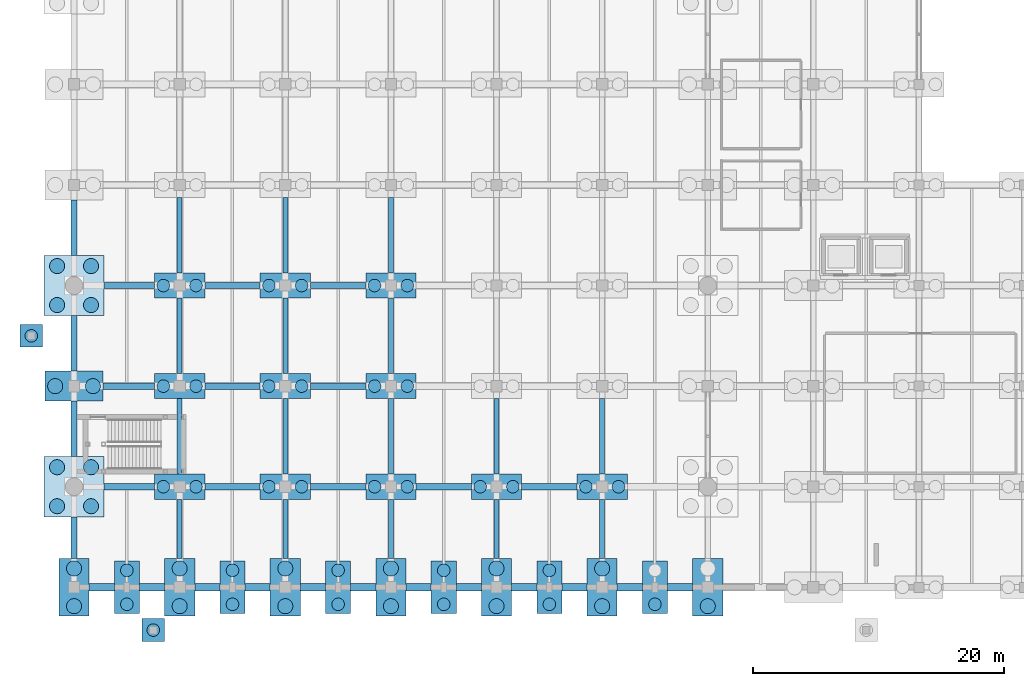
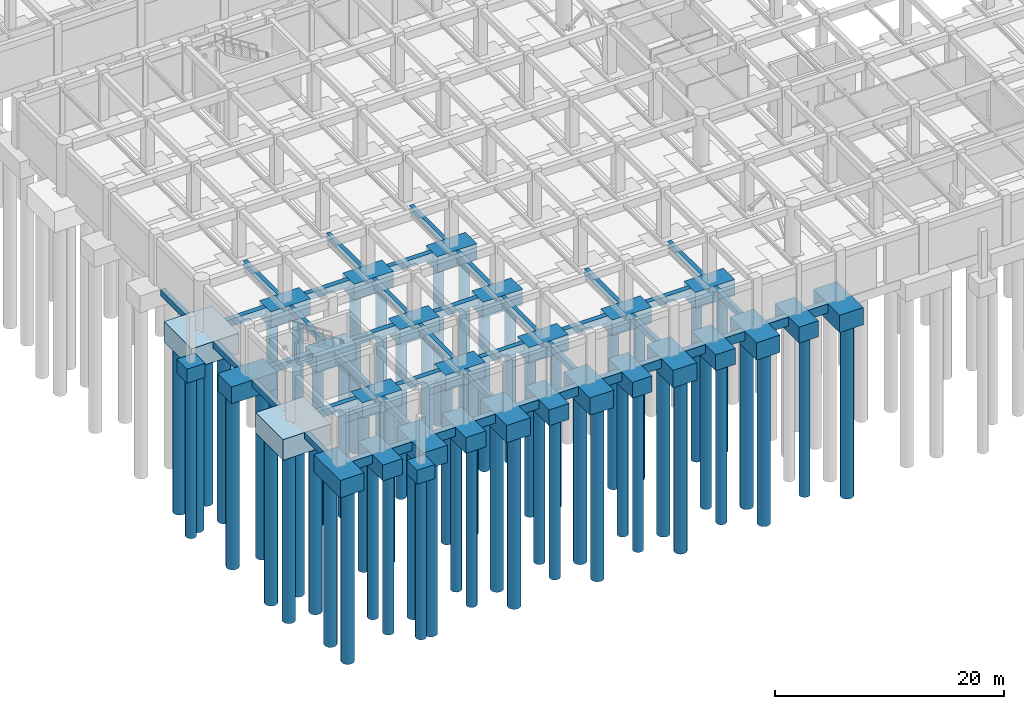
# One storey, part 1 of 56: 72 footings, 58 piles.
"""IFC4 building model written with IfcOpenShell, lengths in metres."""

from ifc_helpers import new_model, si_unit, direction, frame, origin, origin_2d, place, context, subcontext, project, spatial, rectangle, circle, extrude, material, material_profile, profile_set, type_object, element, save


model = new_model("IFC4")

# Units and contexts
model_context = context("Model", 3, precision=1e-05, world=origin(), true_north=direction((0.0, 1.0)))
body_context = subcontext(model_context, "Body", "Model", "MODEL_VIEW")
ifc_project = project(units=[si_unit("LENGTHUNIT", "METRE"), si_unit("AREAUNIT", "SQUARE_METRE"), si_unit("VOLUMEUNIT", "CUBIC_METRE"), si_unit("PLANEANGLEUNIT", "RADIAN"), si_unit("MASSUNIT", "GRAM", prefix="KILO")], contexts=[model_context])

# Site, building, storey
site_placement = place(None, origin())
site = spatial("IfcSite", under=ifc_project, at=site_placement, CompositionType="ELEMENT")
building_placement = place(site_placement, origin())
building = spatial("IfcBuilding", under=site, at=building_placement, Name="Naruveol Harbour Congress Hotel", CompositionType="ELEMENT")
storey_placement = place(building_placement, frame((0.0, 0.0, -5.39990234375)))
storey = spatial("IfcBuildingStorey", under=building, at=storey_placement, Name="B01", CompositionType="ELEMENT", Elevation=-5.39990234375)

# Piles
ifc_material_1 = material(Name="Concrete C40/50", Category="concrete")
ifc_material_profile_1 = material_profile(ifc_material_1, circle(Radius=0.5, at=origin_2d()), Name="BP-1000")
ifc_profile_set_1 = profile_set([ifc_material_profile_1], Name="Concrete C40/50")
pile_type_1 = type_object("IfcPileType", Name="BORED ROCK SOCKETED PILE D1000", PredefinedType="BORED", material=ifc_profile_set_1)
pile_1_placement = place(storey_placement, frame((-3.39990234375, 20.0, -1.35009765625), z_axis=(0.0, 0.0, -1.0), x_axis=(1.0, 0.0, 0.0)))
element("IfcPile", 1, at=pile_1_placement, inside=storey, type_object=pile_type_1, Name="Bored pile BP-1000 #1 under FTG-CAP--034-0200", PredefinedType="BORED", context=body_context, shape_type="SweptSolid", body=[
    extrude(circle(Radius=0.5, at=origin_2d()), origin(), (0.0, 0.0, 1.0), 17.25),
])
for number, where, z_axis, x_axis, name in (
    (2, (4.199951171875, -1.35009765625, -1.550048828125), (0.0, 0.0, -1.0), (1.0, 0.0, 0.0), "Bored pile BP-1000 #1 under FTG-CAP-0042-0000"),
    (3, (4.199951171875, 1.35009765625, -1.550048828125), (0.0, 0.0, -1.0), (1.0, 0.0, 0.0), "Bored pile BP-1000 #2 under FTG-CAP-0042-0000"),
):
    element("IfcPile", number, at=place(storey_placement, frame(where, z_axis=z_axis, x_axis=x_axis)), inside=storey, type_object=pile_type_1, Name=name, PredefinedType="BORED", context=body_context, shape_type="SweptSolid", body=[
        extrude(circle(Radius=0.5, at=origin_2d()), origin(), (0.0, 0.0, 1.0), 17.050048828125),
    ])
pile_2_placement = place(storey_placement, frame((6.300048828125, -3.39990234375, -1.35009765625), z_axis=(0.0, 0.0, -1.0), x_axis=(1.0, 0.0, 0.0)))
element("IfcPile", 4, at=pile_2_placement, inside=storey, type_object=pile_type_1, Name="Bored pile BP-1000 #1 under FTG-CAP-0063--034", PredefinedType="BORED", context=body_context, shape_type="SweptSolid", body=[
    extrude(circle(Radius=0.5, at=origin_2d()), origin(), (0.0, 0.0, 1.0), 17.25),
])
for number, where, z_axis, x_axis, name in (
    (5, (7.10009765625, 8.0, -1.550048828125), (0.0, 0.0, -1.0), (1.0, 0.0, 0.0), "Bored pile BP-1000 #1 under FTG-CAP-0084-0080"),
    (6, (9.699951171875, 8.0, -1.550048828125), (0.0, 0.0, -1.0), (1.0, 0.0, 0.0), "Bored pile BP-1000 #2 under FTG-CAP-0084-0080"),
    (7, (7.10009765625, 16.0, -1.550048828125), (0.0, 0.0, -1.0), (1.0, 0.0, 0.0), "Bored pile BP-1000 #1 under FTG-CAP-0084-0160"),
    (8, (9.699951171875, 16.0, -1.550048828125), (0.0, 0.0, -1.0), (1.0, 0.0, 0.0), "Bored pile BP-1000 #2 under FTG-CAP-0084-0160"),
    (9, (7.10009765625, 24.0, -1.550048828125), (0.0, 0.0, -1.0), (1.0, 0.0, 0.0), "Bored pile BP-1000 #1 under FTG-CAP-0084-0240"),
    (10, (9.699951171875, 24.0, -1.550048828125), (0.0, 0.0, -1.0), (1.0, 0.0, 0.0), "Bored pile BP-1000 #2 under FTG-CAP-0084-0240"),
    (11, (12.60009765625, -1.35009765625, -1.550048828125), (0.0, 0.0, -1.0), (1.0, 0.0, 0.0), "Bored pile BP-1000 #1 under FTG-CAP-0126-0000"),
    (12, (12.60009765625, 1.35009765625, -1.550048828125), (0.0, 0.0, -1.0), (1.0, 0.0, 0.0), "Bored pile BP-1000 #2 under FTG-CAP-0126-0000"),
    (13, (15.5, 8.0, -1.550048828125), (0.0, 0.0, -1.0), (1.0, 0.0, 0.0), "Bored pile BP-1000 #1 under FTG-CAP-0168-0080"),
    (14, (18.10009765625, 8.0, -1.550048828125), (0.0, 0.0, -1.0), (1.0, 0.0, 0.0), "Bored pile BP-1000 #2 under FTG-CAP-0168-0080"),
    (15, (15.5, 16.0, -1.550048828125), (0.0, 0.0, -1.0), (1.0, 0.0, 0.0), "Bored pile BP-1000 #1 under FTG-CAP-0168-0160"),
    (16, (18.10009765625, 16.0, -1.550048828125), (0.0, 0.0, -1.0), (1.0, 0.0, 0.0), "Bored pile BP-1000 #2 under FTG-CAP-0168-0160"),
    (17, (15.5, 24.0, -1.550048828125), (0.0, 0.0, -1.0), (1.0, 0.0, 0.0), "Bored pile BP-1000 #1 under FTG-CAP-0168-0240"),
    (18, (18.10009765625, 24.0, -1.550048828125), (0.0, 0.0, -1.0), (1.0, 0.0, 0.0), "Bored pile BP-1000 #2 under FTG-CAP-0168-0240"),
    (19, (21.0, -1.35009765625, -1.550048828125), (0.0, 0.0, -1.0), (1.0, 0.0, 0.0), "Bored pile BP-1000 #1 under FTG-CAP-0210-0000"),
    (20, (21.0, 1.35009765625, -1.550048828125), (0.0, 0.0, -1.0), (1.0, 0.0, 0.0), "Bored pile BP-1000 #2 under FTG-CAP-0210-0000"),
    (21, (23.89990234375, 8.0, -1.550048828125), (0.0, 0.0, -1.0), (1.0, 0.0, 0.0), "Bored pile BP-1000 #1 under FTG-CAP-0252-0080"),
    (22, (26.5, 8.0, -1.550048828125), (0.0, 0.0, -1.0), (1.0, 0.0, 0.0), "Bored pile BP-1000 #2 under FTG-CAP-0252-0080"),
    (23, (23.89990234375, 16.0, -1.550048828125), (0.0, 0.0, -1.0), (1.0, 0.0, 0.0), "Bored pile BP-1000 #1 under FTG-CAP-0252-0160"),
    (24, (26.5, 16.0, -1.550048828125), (0.0, 0.0, -1.0), (1.0, 0.0, 0.0), "Bored pile BP-1000 #2 under FTG-CAP-0252-0160"),
    (25, (23.89990234375, 24.0, -1.550048828125), (0.0, 0.0, -1.0), (1.0, 0.0, 0.0), "Bored pile BP-1000 #1 under FTG-CAP-0252-0240"),
    (26, (26.5, 24.0, -1.550048828125), (0.0, 0.0, -1.0), (1.0, 0.0, 0.0), "Bored pile BP-1000 #2 under FTG-CAP-0252-0240"),
    (27, (29.39990234375, -1.35009765625, -1.550048828125), (0.0, 0.0, -1.0), (1.0, 0.0, 0.0), "Bored pile BP-1000 #1 under FTG-CAP-0294-0000"),
    (28, (29.39990234375, 1.35009765625, -1.550048828125), (0.0, 0.0, -1.0), (1.0, 0.0, 0.0), "Bored pile BP-1000 #2 under FTG-CAP-0294-0000"),
    (29, (32.300048828125, 8.0, -1.550048828125), (0.0, 0.0, -1.0), (1.0, 0.0, 0.0), "Bored pile BP-1000 #1 under FTG-CAP-0336-0080"),
    (30, (34.89990234375, 8.0, -1.550048828125), (0.0, 0.0, -1.0), (1.0, 0.0, 0.0), "Bored pile BP-1000 #2 under FTG-CAP-0336-0080"),
    (31, (37.800048828125, -1.35009765625, -1.550048828125), (0.0, 0.0, -1.0), (1.0, 0.0, 0.0), "Bored pile BP-1000 #1 under FTG-CAP-0378-0000"),
    (32, (37.800048828125, 1.35009765625, -1.550048828125), (0.0, 0.0, -1.0), (1.0, 0.0, 0.0), "Bored pile BP-1000 #2 under FTG-CAP-0378-0000"),
    (33, (40.699951171875, 8.0, -1.550048828125), (0.0, 0.0, -1.0), (1.0, 0.0, 0.0), "Bored pile BP-1000 #1 under FTG-CAP-0420-0080"),
    (34, (43.300048828125, 8.0, -1.550048828125), (0.0, 0.0, -1.0), (1.0, 0.0, 0.0), "Bored pile BP-1000 #2 under FTG-CAP-0420-0080"),
    (35, (46.199951171875, -1.35009765625, -1.550048828125), (0.0, 0.0, -1.0), (1.0, 0.0, 0.0), "Bored pile BP-1000 #1 under FTG-CAP-0462-0000"),
):
    element("IfcPile", number, at=place(storey_placement, frame(where, z_axis=z_axis, x_axis=x_axis)), inside=storey, type_object=pile_type_1, Name=name, PredefinedType="BORED", context=body_context, shape_type="SweptSolid", body=[
        extrude(circle(Radius=0.5, at=origin_2d()), origin(), (0.0, 0.0, 1.0), 17.050048828125),
    ])
ifc_material_2 = material(Name="Concrete C40/50", Category="concrete")
ifc_material_profile_2 = material_profile(ifc_material_2, circle(Radius=0.60009765625, at=origin_2d()), Name="BP-1200")
ifc_profile_set_2 = profile_set([ifc_material_profile_2], Name="Concrete C40/50")
pile_type_2 = type_object("IfcPileType", Name="BORED ROCK SOCKETED PILE D1200", PredefinedType="BORED", material=ifc_profile_set_2)
for number, where, z_axis, x_axis, name in (
    (36, (0.0, -1.5, -1.7001953125), (0.0, 0.0, -1.0), (1.0, 0.0, 0.0), "Bored pile BP-1200 #1 under FTG-CAP-0000-0000"),
    (37, (0.0, 1.5, -1.7001953125), (0.0, 0.0, -1.0), (1.0, 0.0, 0.0), "Bored pile BP-1200 #2 under FTG-CAP-0000-0000"),
):
    element("IfcPile", number, at=place(storey_placement, frame(where, z_axis=z_axis, x_axis=x_axis)), inside=storey, type_object=pile_type_2, Name=name, PredefinedType="BORED", context=body_context, shape_type="SweptSolid", body=[
        extrude(circle(Radius=0.60009765625, at=origin_2d()), origin(), (0.0, 0.0, 1.0), 18.39990234375),
    ])
for number, where, z_axis, x_axis, name in (
    (38, (-1.35009765625, 6.449951171875, -2.050048828125), (0.0, 0.0, -1.0), (1.0, 0.0, 0.0), "Bored pile BP-1200 #1 under FTG-CAP-0000-0080"),
    (39, (1.35009765625, 6.449951171875, -2.050048828125), (0.0, 0.0, -1.0), (1.0, 0.0, 0.0), "Bored pile BP-1200 #2 under FTG-CAP-0000-0080"),
    (40, (-1.35009765625, 9.550048828125, -2.050048828125), (0.0, 0.0, -1.0), (1.0, 0.0, 0.0), "Bored pile BP-1200 #3 under FTG-CAP-0000-0080"),
    (41, (1.35009765625, 9.550048828125, -2.050048828125), (0.0, 0.0, -1.0), (1.0, 0.0, 0.0), "Bored pile BP-1200 #4 under FTG-CAP-0000-0080"),
):
    element("IfcPile", number, at=place(storey_placement, frame(where, z_axis=z_axis, x_axis=x_axis)), inside=storey, type_object=pile_type_2, Name=name, PredefinedType="BORED", context=body_context, shape_type="SweptSolid", body=[
        extrude(circle(Radius=0.60009765625, at=origin_2d()), origin(), (0.0, 0.0, 1.0), 18.050048828125),
    ])
for number, where, z_axis, x_axis, name in (
    (42, (-1.5, 16.0, -1.650146484375), (0.0, 0.0, -1.0), (1.0, 0.0, 0.0), "Bored pile BP-1200 #1 under FTG-CAP-0000-0160"),
    (43, (1.5, 16.0, -1.650146484375), (0.0, 0.0, -1.0), (1.0, 0.0, 0.0), "Bored pile BP-1200 #2 under FTG-CAP-0000-0160"),
):
    element("IfcPile", number, at=place(storey_placement, frame(where, z_axis=z_axis, x_axis=x_axis)), inside=storey, type_object=pile_type_2, Name=name, PredefinedType="BORED", context=body_context, shape_type="SweptSolid", body=[
        extrude(circle(Radius=0.60009765625, at=origin_2d()), origin(), (0.0, 0.0, 1.0), 18.449951171875),
    ])
for number, where, z_axis, x_axis, name in (
    (44, (-1.35009765625, 22.449951171875, -2.050048828125), (0.0, 0.0, -1.0), (1.0, 0.0, 0.0), "Bored pile BP-1200 #1 under FTG-CAP-0000-0240"),
    (45, (1.35009765625, 22.449951171875, -2.050048828125), (0.0, 0.0, -1.0), (1.0, 0.0, 0.0), "Bored pile BP-1200 #2 under FTG-CAP-0000-0240"),
    (46, (-1.35009765625, 25.550048828125, -2.050048828125), (0.0, 0.0, -1.0), (1.0, 0.0, 0.0), "Bored pile BP-1200 #3 under FTG-CAP-0000-0240"),
    (47, (1.35009765625, 25.550048828125, -2.050048828125), (0.0, 0.0, -1.0), (1.0, 0.0, 0.0), "Bored pile BP-1200 #4 under FTG-CAP-0000-0240"),
):
    element("IfcPile", number, at=place(storey_placement, frame(where, z_axis=z_axis, x_axis=x_axis)), inside=storey, type_object=pile_type_2, Name=name, PredefinedType="BORED", context=body_context, shape_type="SweptSolid", body=[
        extrude(circle(Radius=0.60009765625, at=origin_2d()), origin(), (0.0, 0.0, 1.0), 18.050048828125),
    ])
for number, where, z_axis, x_axis, name in (
    (48, (8.39990234375, -1.5, -1.7001953125), (0.0, 0.0, -1.0), (1.0, 0.0, 0.0), "Bored pile BP-1200 #1 under FTG-CAP-0084-0000"),
    (49, (8.39990234375, 1.5, -1.7001953125), (0.0, 0.0, -1.0), (1.0, 0.0, 0.0), "Bored pile BP-1200 #2 under FTG-CAP-0084-0000"),
    (50, (16.800048828125, -1.5, -1.7001953125), (0.0, 0.0, -1.0), (1.0, 0.0, 0.0), "Bored pile BP-1200 #1 under FTG-CAP-0168-0000"),
    (51, (16.800048828125, 1.5, -1.7001953125), (0.0, 0.0, -1.0), (1.0, 0.0, 0.0), "Bored pile BP-1200 #2 under FTG-CAP-0168-0000"),
    (52, (25.199951171875, -1.5, -1.7001953125), (0.0, 0.0, -1.0), (1.0, 0.0, 0.0), "Bored pile BP-1200 #1 under FTG-CAP-0252-0000"),
    (53, (25.199951171875, 1.5, -1.7001953125), (0.0, 0.0, -1.0), (1.0, 0.0, 0.0), "Bored pile BP-1200 #2 under FTG-CAP-0252-0000"),
    (54, (33.60009765625, -1.5, -1.7001953125), (0.0, 0.0, -1.0), (1.0, 0.0, 0.0), "Bored pile BP-1200 #1 under FTG-CAP-0336-0000"),
    (55, (33.60009765625, 1.5, -1.7001953125), (0.0, 0.0, -1.0), (1.0, 0.0, 0.0), "Bored pile BP-1200 #2 under FTG-CAP-0336-0000"),
    (56, (42.0, -1.5, -1.7001953125), (0.0, 0.0, -1.0), (1.0, 0.0, 0.0), "Bored pile BP-1200 #1 under FTG-CAP-0420-0000"),
    (57, (42.0, 1.5, -1.7001953125), (0.0, 0.0, -1.0), (1.0, 0.0, 0.0), "Bored pile BP-1200 #2 under FTG-CAP-0420-0000"),
    (58, (50.39990234375, -1.5, -1.7001953125), (0.0, 0.0, -1.0), (1.0, 0.0, 0.0), "Bored pile BP-1200 #1 under FTG-CAP-0504-0000"),
):
    element("IfcPile", number, at=place(storey_placement, frame(where, z_axis=z_axis, x_axis=x_axis)), inside=storey, type_object=pile_type_2, Name=name, PredefinedType="BORED", context=body_context, shape_type="SweptSolid", body=[
        extrude(circle(Radius=0.60009765625, at=origin_2d()), origin(), (0.0, 0.0, 1.0), 18.39990234375),
    ])

# Footings
ifc_material_3 = material(Name="Concrete C40/50", Category="concrete")
footing_type_1 = type_object("IfcFootingType", Name="RC APRON EDGE PILE CAP 1800X1800X1500", PredefinedType="PILE_CAP", material=ifc_material_3)
for number, where, z_axis, x_axis, name in (
    (59, (-3.39990234375, 20.0, -1.5), (0.0, 0.0, 1.0), (1.0, 0.0, 0.0), "Pile cap PC9 at (-3.4, 20.0)"),
    (60, (6.300048828125, -3.39990234375, -1.5), (0.0, 0.0, 1.0), (1.0, 0.0, 0.0), "Pile cap PC9 at (6.3, -3.4)"),
):
    element("IfcFooting", number, at=place(storey_placement, frame(where, z_axis=z_axis, x_axis=x_axis)), inside=storey, type_object=footing_type_1, Name=name, PredefinedType="PILE_CAP", context=body_context, shape_type="SweptSolid", body=[
        extrude(rectangle(XDim=1.800048828125, YDim=1.800048828125, at=origin_2d()), origin(), (0.0, 0.0, 1.0), 1.5),
    ])
ifc_material_4 = material(Name="Concrete C40/50", Category="concrete")
footing_type_2 = type_object("IfcFootingType", Name="RC BOUNDARY PILE CAP 2400X4600X1850", PredefinedType="PILE_CAP", material=ifc_material_4)
for number, where, z_axis, x_axis, name in (
    (61, (0.0, 0.0, -1.85009765625), (0.0, 0.0, 1.0), (1.0, 0.0, 0.0), "Pile cap PC12 at (0.0, 0.0)"),
    (62, (8.39990234375, 0.0, -1.85009765625), (0.0, 0.0, 1.0), (1.0, 0.0, 0.0), "Pile cap PC12 at (8.4, 0.0)"),
    (63, (16.800048828125, 0.0, -1.85009765625), (0.0, 0.0, 1.0), (1.0, 0.0, 0.0), "Pile cap PC12 at (16.8, 0.0)"),
    (64, (25.199951171875, 0.0, -1.85009765625), (0.0, 0.0, 1.0), (1.0, 0.0, 0.0), "Pile cap PC12 at (25.2, 0.0)"),
    (65, (33.60009765625, 0.0, -1.85009765625), (0.0, 0.0, 1.0), (1.0, 0.0, 0.0), "Pile cap PC12 at (33.6, 0.0)"),
    (66, (42.0, 0.0, -1.85009765625), (0.0, 0.0, 1.0), (1.0, 0.0, 0.0), "Pile cap PC12 at (42.0, 0.0)"),
    (67, (50.39990234375, 0.0, -1.85009765625), (0.0, 0.0, 1.0), (1.0, 0.0, 0.0), "Pile cap PC12 at (50.4, 0.0)"),
):
    element("IfcFooting", number, at=place(storey_placement, frame(where, z_axis=z_axis, x_axis=x_axis)), inside=storey, type_object=footing_type_2, Name=name, PredefinedType="PILE_CAP", context=body_context, shape_type="SweptSolid", body=[
        extrude(rectangle(XDim=2.39990234375, YDim=4.60009765625, at=origin_2d()), origin(), (0.0, 0.0, 1.0), 1.85009765625),
    ])
ifc_material_5 = material(Name="Concrete C40/50", Category="concrete")
ifc_material_profile_3 = material_profile(ifc_material_5, rectangle(XDim=0.39990234375, YDim=0.64990234375, at=origin_2d()), Name="RCB-400x650")
ifc_profile_set_3 = profile_set([ifc_material_profile_3], Name="Concrete C40/50")
footing_type_3 = type_object("IfcFootingType", Name="RC COLONNADE TIE BEAM 400X650", PredefinedType="FOOTING_BEAM", material=ifc_profile_set_3)
footing_1_placement = place(storey_placement, frame((8.39990234375, 2.300048828125, -0.3251953125), z_axis=(0.0, 1.0, 0.0), x_axis=(-1.0, 0.0, 0.0)))
element("IfcFooting", 68, at=footing_1_placement, inside=storey, type_object=footing_type_3, Name="Foundation tie beam TB4 #240", PredefinedType="FOOTING_BEAM", context=body_context, shape_type="SweptSolid", body=[
    extrude(rectangle(XDim=0.39990234375, YDim=0.64990234375, at=origin_2d()), origin(), (0.0, 0.0, 1.0), 4.699951171875),
])
for number, where, z_axis, x_axis, name in (
    (69, (8.39990234375, 9.0, -0.3251953125), (0.0, 1.0, 0.0), (-1.0, 0.0, 0.0), "Foundation tie beam TB4 #241"),
    (70, (8.39990234375, 17.0, -0.3251953125), (0.0, 1.0, 0.0), (-1.0, 0.0, 0.0), "Foundation tie beam TB4 #242"),
    (71, (8.39990234375, 25.0, -0.3251953125), (0.0, 1.0, 0.0), (-1.0, 0.0, 0.0), "Foundation tie beam TB4 #243"),
):
    element("IfcFooting", number, at=place(storey_placement, frame(where, z_axis=z_axis, x_axis=x_axis)), inside=storey, type_object=footing_type_3, Name=name, PredefinedType="FOOTING_BEAM", context=body_context, shape_type="SweptSolid", body=[
        extrude(rectangle(XDim=0.39990234375, YDim=0.64990234375, at=origin_2d()), origin(), (0.0, 0.0, 1.0), 6.0),
    ])
footing_2_placement = place(storey_placement, frame((16.800048828125, 2.300048828125, -0.3251953125), z_axis=(0.0, 1.0, 0.0), x_axis=(-1.0, 0.0, 0.0)))
element("IfcFooting", 72, at=footing_2_placement, inside=storey, type_object=footing_type_3, Name="Foundation tie beam TB4 #254", PredefinedType="FOOTING_BEAM", context=body_context, shape_type="SweptSolid", body=[
    extrude(rectangle(XDim=0.39990234375, YDim=0.64990234375, at=origin_2d()), origin(), (0.0, 0.0, 1.0), 4.699951171875),
])
for number, where, z_axis, x_axis, name in (
    (73, (16.800048828125, 9.0, -0.3251953125), (0.0, 1.0, 0.0), (-1.0, 0.0, 0.0), "Foundation tie beam TB4 #255"),
    (74, (16.800048828125, 17.0, -0.3251953125), (0.0, 1.0, 0.0), (-1.0, 0.0, 0.0), "Foundation tie beam TB4 #256"),
    (75, (16.800048828125, 25.0, -0.3251953125), (0.0, 1.0, 0.0), (-1.0, 0.0, 0.0), "Foundation tie beam TB4 #257"),
):
    element("IfcFooting", number, at=place(storey_placement, frame(where, z_axis=z_axis, x_axis=x_axis)), inside=storey, type_object=footing_type_3, Name=name, PredefinedType="FOOTING_BEAM", context=body_context, shape_type="SweptSolid", body=[
        extrude(rectangle(XDim=0.39990234375, YDim=0.64990234375, at=origin_2d()), origin(), (0.0, 0.0, 1.0), 6.0),
    ])
footing_3_placement = place(storey_placement, frame((25.199951171875, 2.300048828125, -0.3251953125), z_axis=(0.0, 1.0, 0.0), x_axis=(-1.0, 0.0, 0.0)))
element("IfcFooting", 76, at=footing_3_placement, inside=storey, type_object=footing_type_3, Name="Foundation tie beam TB4 #268", PredefinedType="FOOTING_BEAM", context=body_context, shape_type="SweptSolid", body=[
    extrude(rectangle(XDim=0.39990234375, YDim=0.64990234375, at=origin_2d()), origin(), (0.0, 0.0, 1.0), 4.699951171875),
])
for number, where, z_axis, x_axis, name in (
    (77, (25.199951171875, 9.0, -0.3251953125), (0.0, 1.0, 0.0), (-1.0, 0.0, 0.0), "Foundation tie beam TB4 #269"),
    (78, (25.199951171875, 17.0, -0.3251953125), (0.0, 1.0, 0.0), (-1.0, 0.0, 0.0), "Foundation tie beam TB4 #270"),
    (79, (25.199951171875, 25.0, -0.3251953125), (0.0, 1.0, 0.0), (-1.0, 0.0, 0.0), "Foundation tie beam TB4 #271"),
):
    element("IfcFooting", number, at=place(storey_placement, frame(where, z_axis=z_axis, x_axis=x_axis)), inside=storey, type_object=footing_type_3, Name=name, PredefinedType="FOOTING_BEAM", context=body_context, shape_type="SweptSolid", body=[
        extrude(rectangle(XDim=0.39990234375, YDim=0.64990234375, at=origin_2d()), origin(), (0.0, 0.0, 1.0), 6.0),
    ])
footing_4_placement = place(storey_placement, frame((33.60009765625, 2.300048828125, -0.3251953125), z_axis=(0.0, 1.0, 0.0), x_axis=(-1.0, 0.0, 0.0)))
element("IfcFooting", 80, at=footing_4_placement, inside=storey, type_object=footing_type_3, Name="Foundation tie beam TB4 #282", PredefinedType="FOOTING_BEAM", context=body_context, shape_type="SweptSolid", body=[
    extrude(rectangle(XDim=0.39990234375, YDim=0.64990234375, at=origin_2d()), origin(), (0.0, 0.0, 1.0), 4.699951171875),
])
footing_5_placement = place(storey_placement, frame((33.60009765625, 9.0, -0.3251953125), z_axis=(0.0, 1.0, 0.0), x_axis=(-1.0, 0.0, 0.0)))
element("IfcFooting", 81, at=footing_5_placement, inside=storey, type_object=footing_type_3, Name="Foundation tie beam TB4 #283", PredefinedType="FOOTING_BEAM", context=body_context, shape_type="SweptSolid", body=[
    extrude(rectangle(XDim=0.39990234375, YDim=0.64990234375, at=origin_2d()), origin(), (0.0, 0.0, 1.0), 6.0),
])
footing_6_placement = place(storey_placement, frame((42.0, 2.300048828125, -0.3251953125), z_axis=(0.0, 1.0, 0.0), x_axis=(-1.0, 0.0, 0.0)))
element("IfcFooting", 82, at=footing_6_placement, inside=storey, type_object=footing_type_3, Name="Foundation tie beam TB4 #296", PredefinedType="FOOTING_BEAM", context=body_context, shape_type="SweptSolid", body=[
    extrude(rectangle(XDim=0.39990234375, YDim=0.64990234375, at=origin_2d()), origin(), (0.0, 0.0, 1.0), 4.699951171875),
])
footing_7_placement = place(storey_placement, frame((42.0, 9.0, -0.3251953125), z_axis=(0.0, 1.0, 0.0), x_axis=(-1.0, 0.0, 0.0)))
element("IfcFooting", 83, at=footing_7_placement, inside=storey, type_object=footing_type_3, Name="Foundation tie beam TB4 #297", PredefinedType="FOOTING_BEAM", context=body_context, shape_type="SweptSolid", body=[
    extrude(rectangle(XDim=0.39990234375, YDim=0.64990234375, at=origin_2d()), origin(), (0.0, 0.0, 1.0), 6.0),
])
ifc_material_6 = material(Name="Concrete C40/50", Category="concrete")
ifc_material_profile_4 = material_profile(ifc_material_6, rectangle(XDim=0.5, YDim=0.75, at=origin_2d()), Name="RCB-500x750")
ifc_profile_set_4 = profile_set([ifc_material_profile_4], Name="Concrete C40/50")
footing_type_4 = type_object("IfcFootingType", Name="RC FOUNDATION TIE BEAM 500X750", PredefinedType="FOOTING_BEAM", material=ifc_profile_set_4)
footing_8_placement = place(storey_placement, frame((2.39990234375, 8.0, -0.375), z_axis=(1.0, 0.0, 0.0), x_axis=(0.0, 1.0, 0.0)))
element("IfcFooting", 84, at=footing_8_placement, inside=storey, type_object=footing_type_4, Name="Foundation tie beam TB2 #24", PredefinedType="FOOTING_BEAM", context=body_context, shape_type="SweptSolid", body=[
    extrude(rectangle(XDim=0.5, YDim=0.75, at=origin_2d()), origin(), (0.0, 0.0, 1.0), 4.0),
])
footing_9_placement = place(storey_placement, frame((10.39990234375, 8.0, -0.375), z_axis=(1.0, 0.0, 0.0), x_axis=(0.0, 1.0, 0.0)))
element("IfcFooting", 85, at=footing_9_placement, inside=storey, type_object=footing_type_4, Name="Foundation tie beam TB2 #25", PredefinedType="FOOTING_BEAM", context=body_context, shape_type="SweptSolid", body=[
    extrude(rectangle(XDim=0.5, YDim=0.75, at=origin_2d()), origin(), (0.0, 0.0, 1.0), 4.400146484375),
])
footing_10_placement = place(storey_placement, frame((18.800048828125, 8.0, -0.375), z_axis=(1.0, 0.0, 0.0), x_axis=(0.0, 1.0, 0.0)))
element("IfcFooting", 86, at=footing_10_placement, inside=storey, type_object=footing_type_4, Name="Foundation tie beam TB2 #26", PredefinedType="FOOTING_BEAM", context=body_context, shape_type="SweptSolid", body=[
    extrude(rectangle(XDim=0.5, YDim=0.75, at=origin_2d()), origin(), (0.0, 0.0, 1.0), 4.39990234375),
])
footing_11_placement = place(storey_placement, frame((27.199951171875, 8.0, -0.375), z_axis=(1.0, 0.0, 0.0), x_axis=(0.0, 1.0, 0.0)))
element("IfcFooting", 87, at=footing_11_placement, inside=storey, type_object=footing_type_4, Name="Foundation tie beam TB2 #27", PredefinedType="FOOTING_BEAM", context=body_context, shape_type="SweptSolid", body=[
    extrude(rectangle(XDim=0.5, YDim=0.75, at=origin_2d()), origin(), (0.0, 0.0, 1.0), 4.400146484375),
])
footing_12_placement = place(storey_placement, frame((35.60009765625, 8.0, -0.375), z_axis=(1.0, 0.0, 0.0), x_axis=(0.0, 1.0, 0.0)))
element("IfcFooting", 88, at=footing_12_placement, inside=storey, type_object=footing_type_4, Name="Foundation tie beam TB2 #28", PredefinedType="FOOTING_BEAM", context=body_context, shape_type="SweptSolid", body=[
    extrude(rectangle(XDim=0.5, YDim=0.75, at=origin_2d()), origin(), (0.0, 0.0, 1.0), 4.39990234375),
])
footing_13_placement = place(storey_placement, frame((2.300048828125, 16.0, -0.375), z_axis=(1.0, 0.0, 0.0), x_axis=(0.0, 1.0, 0.0)))
element("IfcFooting", 89, at=footing_13_placement, inside=storey, type_object=footing_type_4, Name="Foundation tie beam TB2 #39", PredefinedType="FOOTING_BEAM", context=body_context, shape_type="SweptSolid", body=[
    extrude(rectangle(XDim=0.5, YDim=0.75, at=origin_2d()), origin(), (0.0, 0.0, 1.0), 4.099853515625),
])
footing_14_placement = place(storey_placement, frame((10.39990234375, 16.0, -0.375), z_axis=(1.0, 0.0, 0.0), x_axis=(0.0, 1.0, 0.0)))
element("IfcFooting", 90, at=footing_14_placement, inside=storey, type_object=footing_type_4, Name="Foundation tie beam TB2 #40", PredefinedType="FOOTING_BEAM", context=body_context, shape_type="SweptSolid", body=[
    extrude(rectangle(XDim=0.5, YDim=0.75, at=origin_2d()), origin(), (0.0, 0.0, 1.0), 4.400146484375),
])
footing_15_placement = place(storey_placement, frame((18.800048828125, 16.0, -0.375), z_axis=(1.0, 0.0, 0.0), x_axis=(0.0, 1.0, 0.0)))
element("IfcFooting", 91, at=footing_15_placement, inside=storey, type_object=footing_type_4, Name="Foundation tie beam TB2 #41", PredefinedType="FOOTING_BEAM", context=body_context, shape_type="SweptSolid", body=[
    extrude(rectangle(XDim=0.5, YDim=0.75, at=origin_2d()), origin(), (0.0, 0.0, 1.0), 4.39990234375),
])
footing_16_placement = place(storey_placement, frame((2.39990234375, 24.0, -0.375), z_axis=(1.0, 0.0, 0.0), x_axis=(0.0, 1.0, 0.0)))
element("IfcFooting", 92, at=footing_16_placement, inside=storey, type_object=footing_type_4, Name="Foundation tie beam TB2 #57", PredefinedType="FOOTING_BEAM", context=body_context, shape_type="SweptSolid", body=[
    extrude(rectangle(XDim=0.5, YDim=0.75, at=origin_2d()), origin(), (0.0, 0.0, 1.0), 4.0),
])
footing_17_placement = place(storey_placement, frame((10.39990234375, 24.0, -0.375), z_axis=(1.0, 0.0, 0.0), x_axis=(0.0, 1.0, 0.0)))
element("IfcFooting", 93, at=footing_17_placement, inside=storey, type_object=footing_type_4, Name="Foundation tie beam TB2 #58", PredefinedType="FOOTING_BEAM", context=body_context, shape_type="SweptSolid", body=[
    extrude(rectangle(XDim=0.5, YDim=0.75, at=origin_2d()), origin(), (0.0, 0.0, 1.0), 4.400146484375),
])
footing_18_placement = place(storey_placement, frame((18.800048828125, 24.0, -0.375), z_axis=(1.0, 0.0, 0.0), x_axis=(0.0, 1.0, 0.0)))
element("IfcFooting", 94, at=footing_18_placement, inside=storey, type_object=footing_type_4, Name="Foundation tie beam TB2 #59", PredefinedType="FOOTING_BEAM", context=body_context, shape_type="SweptSolid", body=[
    extrude(rectangle(XDim=0.5, YDim=0.75, at=origin_2d()), origin(), (0.0, 0.0, 1.0), 4.39990234375),
])
ifc_material_7 = material(Name="Concrete C40/50", Category="concrete")
ifc_material_profile_5 = material_profile(ifc_material_7, rectangle(XDim=0.60009765625, YDim=0.949951171875, at=origin_2d()), Name="RCB-600x950")
ifc_profile_set_5 = profile_set([ifc_material_profile_5], Name="Concrete C40/50")
footing_type_5 = type_object("IfcFootingType", Name="RC FOUNDATION TIE BEAM 600X900", PredefinedType="FOOTING_BEAM", material=ifc_profile_set_5)
for number, where, z_axis, x_axis, name in (
    (95, (1.199951171875, 0.0, -0.47509765625), (1.0, 0.0, 0.0), (0.0, 1.0, 0.0), "Foundation tie beam TB1 #1"),
    (96, (5.199951171875, 0.0, -0.47509765625), (1.0, 0.0, 0.0), (0.0, 1.0, 0.0), "Foundation tie beam TB1 #2"),
    (97, (9.60009765625, 0.0, -0.47509765625), (1.0, 0.0, 0.0), (0.0, 1.0, 0.0), "Foundation tie beam TB1 #3"),
    (98, (13.60009765625, 0.0, -0.47509765625), (1.0, 0.0, 0.0), (0.0, 1.0, 0.0), "Foundation tie beam TB1 #4"),
    (99, (18.0, 0.0, -0.47509765625), (1.0, 0.0, 0.0), (0.0, 1.0, 0.0), "Foundation tie beam TB1 #5"),
    (100, (22.0, 0.0, -0.47509765625), (1.0, 0.0, 0.0), (0.0, 1.0, 0.0), "Foundation tie beam TB1 #6"),
    (101, (26.39990234375, 0.0, -0.47509765625), (1.0, 0.0, 0.0), (0.0, 1.0, 0.0), "Foundation tie beam TB1 #7"),
    (102, (30.39990234375, 0.0, -0.47509765625), (1.0, 0.0, 0.0), (0.0, 1.0, 0.0), "Foundation tie beam TB1 #8"),
    (103, (34.800048828125, 0.0, -0.47509765625), (1.0, 0.0, 0.0), (0.0, 1.0, 0.0), "Foundation tie beam TB1 #9"),
    (104, (38.800048828125, 0.0, -0.47509765625), (1.0, 0.0, 0.0), (0.0, 1.0, 0.0), "Foundation tie beam TB1 #10"),
    (105, (43.199951171875, 0.0, -0.47509765625), (1.0, 0.0, 0.0), (0.0, 1.0, 0.0), "Foundation tie beam TB1 #11"),
    (106, (47.199951171875, 0.0, -0.47509765625), (1.0, 0.0, 0.0), (0.0, 1.0, 0.0), "Foundation tie beam TB1 #12"),
):
    element("IfcFooting", number, at=place(storey_placement, frame(where, z_axis=z_axis, x_axis=x_axis)), inside=storey, type_object=footing_type_5, Name=name, PredefinedType="FOOTING_BEAM", context=body_context, shape_type="SweptSolid", body=[
        extrude(rectangle(XDim=0.60009765625, YDim=0.949951171875, at=origin_2d()), origin(), (0.0, 0.0, 1.0), 2.0),
    ])
ifc_material_8 = material(Name="Concrete C40/50", Category="concrete")
footing_type_6 = type_object("IfcFootingType", Name="RC HALL PILE CAP 4600X2400X1800", PredefinedType="PILE_CAP", material=ifc_material_8)
footing_19_placement = place(storey_placement, frame((0.0, 16.0, -1.80029296875), z_axis=(0.0, 0.0, 1.0), x_axis=(1.0, 0.0, 0.0)))
element("IfcFooting", 107, at=footing_19_placement, inside=storey, type_object=footing_type_6, Name="Pile cap PC5 at (0.0, 16.0)", PredefinedType="PILE_CAP", context=body_context, shape_type="SweptSolid", body=[
    extrude(rectangle(XDim=4.60009765625, YDim=2.39990234375, at=origin_2d()), origin(), (0.0, 0.0, 1.0), 1.800048828125),
])
ifc_material_9 = material(Name="Concrete C40/50", Category="concrete")
footing_type_7 = type_object("IfcFootingType", Name="RC MEGA PILE CAP 4800X4800X2200", PredefinedType="PILE_CAP", material=ifc_material_9)
for number, where, z_axis, x_axis, name in (
    (108, (0.0, 8.0, -2.2001953125), (0.0, 0.0, 1.0), (1.0, 0.0, 0.0), "Pile cap PC1 at (0.0, 8.0)"),
    (109, (0.0, 24.0, -2.2001953125), (0.0, 0.0, 1.0), (1.0, 0.0, 0.0), "Pile cap PC1 at (0.0, 24.0)"),
):
    element("IfcFooting", number, at=place(storey_placement, frame(where, z_axis=z_axis, x_axis=x_axis)), inside=storey, type_object=footing_type_7, Name=name, PredefinedType="PILE_CAP", context=body_context, shape_type="SweptSolid", body=[
        extrude(rectangle(XDim=4.800048828125, YDim=4.800048828125, at=origin_2d()), origin(), (0.0, 0.0, 1.0), 2.199951171875),
    ])
ifc_material_10 = material(Name="Concrete C40/50", Category="concrete")
ifc_material_profile_6 = material_profile(ifc_material_10, rectangle(XDim=0.449951171875, YDim=0.699951171875, at=origin_2d()), Name="RCB-450x700")
ifc_profile_set_6 = profile_set([ifc_material_profile_6], Name="Concrete C40/50")
footing_type_8 = type_object("IfcFootingType", Name="RC PERIMETER GRADE BEAM 450X700", PredefinedType="FOOTING_BEAM", material=ifc_profile_set_6)
footing_20_placement = place(storey_placement, frame((0.0, 2.300048828125, -0.35009765625), z_axis=(0.0, 1.0, 0.0), x_axis=(-1.0, 0.0, 0.0)))
element("IfcFooting", 110, at=footing_20_placement, inside=storey, type_object=footing_type_8, Name="Foundation tie beam TB3 #226", PredefinedType="FOOTING_BEAM", context=body_context, shape_type="SweptSolid", body=[
    extrude(rectangle(XDim=0.449951171875, YDim=0.699951171875, at=origin_2d()), origin(), (0.0, 0.0, 1.0), 3.300048828125),
])
for number, where, z_axis, x_axis, name in (
    (111, (0.0, 10.39990234375, -0.35009765625), (0.0, 1.0, 0.0), (-1.0, 0.0, 0.0), "Foundation tie beam TB3 #227"),
    (112, (0.0, 17.199951171875, -0.35009765625), (0.0, 1.0, 0.0), (-1.0, 0.0, 0.0), "Foundation tie beam TB3 #228"),
    (113, (0.0, 26.39990234375, -0.35009765625), (0.0, 1.0, 0.0), (-1.0, 0.0, 0.0), "Foundation tie beam TB3 #229"),
):
    element("IfcFooting", number, at=place(storey_placement, frame(where, z_axis=z_axis, x_axis=x_axis)), inside=storey, type_object=footing_type_8, Name=name, PredefinedType="FOOTING_BEAM", context=body_context, shape_type="SweptSolid", body=[
        extrude(rectangle(XDim=0.449951171875, YDim=0.699951171875, at=origin_2d()), origin(), (0.0, 0.0, 1.0), 4.400146484375),
    ])
ifc_material_11 = material(Name="Concrete C40/50", Category="concrete")
footing_type_9 = type_object("IfcFootingType", Name="RC PILASTER PILE CAP 2000X4200X1700", PredefinedType="PILE_CAP", material=ifc_material_11)
for number, where, z_axis, x_axis, name in (
    (114, (4.199951171875, 0.0, -1.7001953125), (0.0, 0.0, 1.0), (1.0, 0.0, 0.0), "Pile cap PC11 at (4.2, 0.0)"),
    (115, (12.60009765625, 0.0, -1.7001953125), (0.0, 0.0, 1.0), (1.0, 0.0, 0.0), "Pile cap PC11 at (12.6, 0.0)"),
    (116, (21.0, 0.0, -1.7001953125), (0.0, 0.0, 1.0), (1.0, 0.0, 0.0), "Pile cap PC11 at (21.0, 0.0)"),
    (117, (29.39990234375, 0.0, -1.7001953125), (0.0, 0.0, 1.0), (1.0, 0.0, 0.0), "Pile cap PC11 at (29.4, 0.0)"),
    (118, (37.800048828125, 0.0, -1.7001953125), (0.0, 0.0, 1.0), (1.0, 0.0, 0.0), "Pile cap PC11 at (37.8, 0.0)"),
    (119, (46.199951171875, 0.0, -1.7001953125), (0.0, 0.0, 1.0), (1.0, 0.0, 0.0), "Pile cap PC11 at (46.2, 0.0)"),
):
    element("IfcFooting", number, at=place(storey_placement, frame(where, z_axis=z_axis, x_axis=x_axis)), inside=storey, type_object=footing_type_9, Name=name, PredefinedType="PILE_CAP", context=body_context, shape_type="SweptSolid", body=[
        extrude(rectangle(XDim=2.0, YDim=4.199951171875, at=origin_2d()), origin(), (0.0, 0.0, 1.0), 1.699951171875),
    ])
ifc_material_12 = material(Name="Concrete C40/50", Category="concrete")
footing_type_10 = type_object("IfcFootingType", Name="RC PODIUM PILE CAP 4000X2000X1700", PredefinedType="PILE_CAP", material=ifc_material_12)
for number, where, z_axis, x_axis, name in (
    (120, (8.39990234375, 8.0, -1.7001953125), (0.0, 0.0, 1.0), (1.0, 0.0, 0.0), "Pile cap PC6 at (8.4, 8.0)"),
    (121, (8.39990234375, 16.0, -1.7001953125), (0.0, 0.0, 1.0), (1.0, 0.0, 0.0), "Pile cap PC6 at (8.4, 16.0)"),
    (122, (8.39990234375, 24.0, -1.7001953125), (0.0, 0.0, 1.0), (1.0, 0.0, 0.0), "Pile cap PC6 at (8.4, 24.0)"),
    (123, (16.800048828125, 8.0, -1.7001953125), (0.0, 0.0, 1.0), (1.0, 0.0, 0.0), "Pile cap PC6 at (16.8, 8.0)"),
    (124, (16.800048828125, 16.0, -1.7001953125), (0.0, 0.0, 1.0), (1.0, 0.0, 0.0), "Pile cap PC6 at (16.8, 16.0)"),
    (125, (16.800048828125, 24.0, -1.7001953125), (0.0, 0.0, 1.0), (1.0, 0.0, 0.0), "Pile cap PC6 at (16.8, 24.0)"),
    (126, (25.199951171875, 8.0, -1.7001953125), (0.0, 0.0, 1.0), (1.0, 0.0, 0.0), "Pile cap PC6 at (25.2, 8.0)"),
    (127, (25.199951171875, 16.0, -1.7001953125), (0.0, 0.0, 1.0), (1.0, 0.0, 0.0), "Pile cap PC6 at (25.2, 16.0)"),
    (128, (25.199951171875, 24.0, -1.7001953125), (0.0, 0.0, 1.0), (1.0, 0.0, 0.0), "Pile cap PC6 at (25.2, 24.0)"),
    (129, (33.60009765625, 8.0, -1.7001953125), (0.0, 0.0, 1.0), (1.0, 0.0, 0.0), "Pile cap PC6 at (33.6, 8.0)"),
    (130, (42.0, 8.0, -1.7001953125), (0.0, 0.0, 1.0), (1.0, 0.0, 0.0), "Pile cap PC6 at (42.0, 8.0)"),
):
    element("IfcFooting", number, at=place(storey_placement, frame(where, z_axis=z_axis, x_axis=x_axis)), inside=storey, type_object=footing_type_10, Name=name, PredefinedType="PILE_CAP", context=body_context, shape_type="SweptSolid", body=[
        extrude(rectangle(XDim=4.0, YDim=2.0, at=origin_2d()), origin(), (0.0, 0.0, 1.0), 1.699951171875),
    ])

save(model, "model.ifc")
